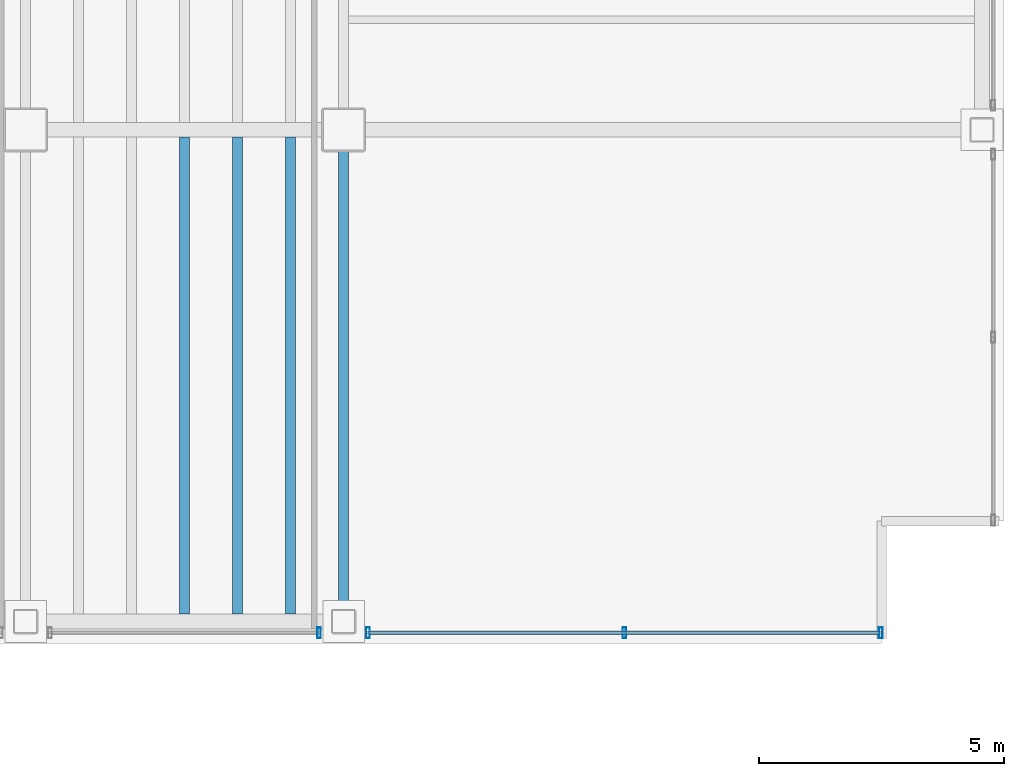
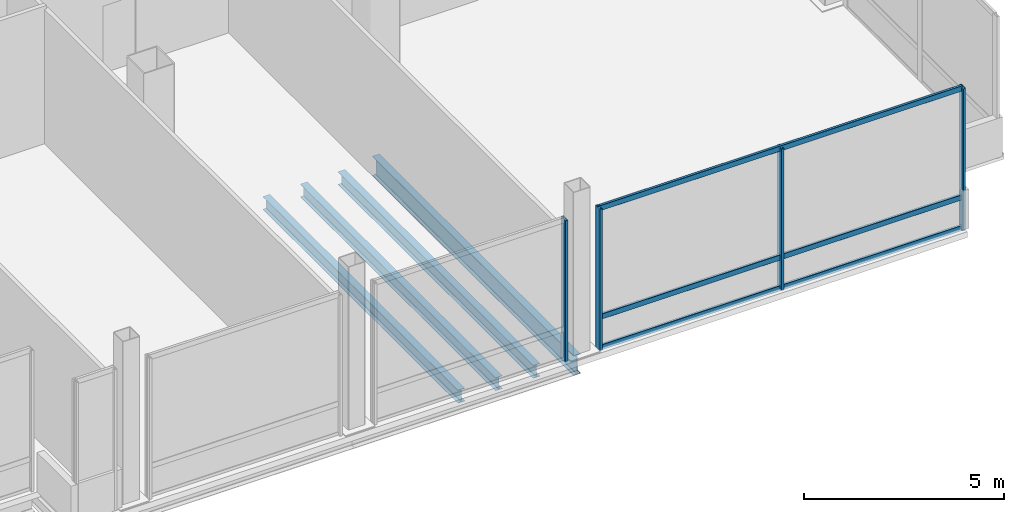
# One storey, part 9 of 22: 7 members, 4 beams, 2 elements without a shape of their own.
"""IFC4 building model written with IfcOpenShell, lengths in metres."""

from ifc_helpers import new_model, si_unit, direction, frame, origin, origin_2d, place, context, subcontext, project, spatial, hollow_rectangle, i_section, extrude, material, material_profile, profile_set, type_object, element, aggregate, save


model = new_model("IFC4")

# Units and contexts
model_context = context("Model", 3, precision=1e-05, world=origin(), true_north=direction((0.0, 1.0)))
body_context = subcontext(model_context, "Body", "Model", "MODEL_VIEW")
ifc_project = project(units=[si_unit("LENGTHUNIT", "METRE"), si_unit("AREAUNIT", "SQUARE_METRE"), si_unit("VOLUMEUNIT", "CUBIC_METRE"), si_unit("PLANEANGLEUNIT", "RADIAN"), si_unit("MASSUNIT", "GRAM", prefix="KILO")], contexts=[model_context])

# Site, building, storey
site_placement = place(None, origin())
site = spatial("IfcSite", under=ifc_project, at=site_placement, CompositionType="ELEMENT")
building_placement = place(site_placement, origin())
building = spatial("IfcBuilding", under=site, at=building_placement, Name="Noeulbin Bourse Tower", CompositionType="ELEMENT")
storey_placement = place(building_placement, frame((0.0, 0.0, 106.0)))
storey = spatial("IfcBuildingStorey", under=building, at=storey_placement, Name="L26", CompositionType="ELEMENT", Elevation=106.0)

# Beams
ifc_material_1 = material(Name="Steel S355", Category="steel")
ifc_material_profile_1 = material_profile(ifc_material_1, i_section(OverallWidth=0.199951171875, OverallDepth=0.60009765625, WebThickness=0.010986328125, FlangeThickness=0.01708984375, FilletRadius=0.02197265625, at=origin_2d()), Name="H-600x200x11x17", Category="LoadBearing")
ifc_profile_set_1 = profile_set([ifc_material_profile_1], Name="Steel S355")
beam_type_1 = type_object("IfcBeamType", Name="BM-GRD-600", PredefinedType="USERDEFINED", material=ifc_profile_set_1)
beam_placement = place(storey_placement, frame((44.0, 9.949951171875, -0.47998046875), z_axis=(0.0, 1.0, 0.0), x_axis=(-1.0, 0.0, 0.0)))
element("IfcBeam", 1, at=beam_placement, inside=storey, type_object=beam_type_1, Name="Tower Primary Girder NS L26-5.1", ObjectType="GIRDER", PredefinedType="USERDEFINED", context=body_context, shape_type="SweptSolid", body=[
    extrude(i_section(OverallWidth=0.199951171875, OverallDepth=0.60009765625, WebThickness=0.010986328125, FlangeThickness=0.01708984375, FilletRadius=0.02197265625, at=origin_2d()), origin(), (0.0, 0.0, 1.0), 10.050048828125),
])
ifc_material_profile_2 = material_profile(ifc_material_1, i_section(OverallWidth=0.199951171875, OverallDepth=0.39990234375, WebThickness=0.008056640625, FlangeThickness=0.012939453125, FilletRadius=0.01611328125, at=origin_2d()), Name="H-400x200x8x13", Category="LoadBearing")
ifc_profile_set_2 = profile_set([ifc_material_profile_2], Name="Steel S355")
beam_type_2 = type_object("IfcBeamType", Name="BM-SEC-400", PredefinedType="BEAM", material=ifc_profile_set_2)
for number, where, z_axis, x_axis, name in (
    (2, (40.75, 10.10009765625, -0.3798828125), (0.0, 1.0, 0.0), (-1.0, 0.0, 0.0), "Tower Composite Joist L26-61"),
    (3, (41.833251953125, 10.10009765625, -0.3798828125), (0.0, 1.0, 0.0), (-1.0, 0.0, 0.0), "Tower Composite Joist L26-64"),
    (4, (42.916748046875, 10.10009765625, -0.3798828125), (0.0, 1.0, 0.0), (-1.0, 0.0, 0.0), "Tower Composite Joist L26-67"),
):
    element("IfcBeam", number, at=place(storey_placement, frame(where, z_axis=z_axis, x_axis=x_axis)), inside=storey, type_object=beam_type_2, Name=name, PredefinedType="BEAM", context=body_context, shape_type="SweptSolid", body=[
        extrude(i_section(OverallWidth=0.199951171875, OverallDepth=0.39990234375, WebThickness=0.008056640625, FlangeThickness=0.012939453125, FilletRadius=0.01611328125, at=origin_2d()), origin(), (0.0, 0.0, 1.0), 9.75),
    ])

# Curtain wall, member
ifc_material_2 = material(Name="Dark Tinted Triple Glazing", Category="glass")
curtain_wall_type = type_object("IfcCurtainWallType", Name="CW-SYS-3", PredefinedType="NOTDEFINED", material=ifc_material_2)
curtain_wall_1_placement = place(storey_placement, origin())
curtain_wall_1 = element("IfcCurtainWall", 5, at=curtain_wall_1_placement, inside=storey, type_object=curtain_wall_type, Name="Unitised Curtain Wall CW-L26-S3-S3", PredefinedType="NOTDEFINED")
ifc_material_3 = material(Name="Anodised Aluminium 6063-T6", Category="aluminium")
ifc_material_profile_3 = material_profile(ifc_material_3, hollow_rectangle(XDim=0.074951171875, YDim=0.219970703125, WallThickness=0.0048828125, InnerFilletRadius=0.00244140625, OuterFilletRadius=0.0048828125, at=origin_2d()), Name="ALU-MULL-75x220x5", Category="LoadBearing")
ifc_profile_set_3 = profile_set([ifc_material_profile_3], Name="Anodised Aluminium 6063-T6")
member_type_1 = type_object("IfcMemberType", Name="CW-SYS-3-MUL", PredefinedType="MULLION", material=ifc_profile_set_3)
member_1_placement = place(storey_placement, frame((43.5, 9.719970703125, -0.02001953125), z_axis=(0.0, 0.0, 1.0), x_axis=(1.0, 0.0, 0.0)))
member_1 = element("IfcMember", 6, at=member_1_placement, type_object=member_type_1, Name="Curtain Wall Mullion CW-L26-S3-S3-M01", PredefinedType="MULLION", context=body_context, shape_type="SweptSolid", body=[
    extrude(hollow_rectangle(XDim=0.074951171875, YDim=0.219970703125, WallThickness=0.0048828125, InnerFilletRadius=0.00244140625, OuterFilletRadius=0.0048828125, at=origin_2d()), origin(), (0.0, 0.0, 1.0), 4.320068359375),
])
aggregate(curtain_wall_1, [member_1])

# Curtain wall, members
curtain_wall_2_placement = place(storey_placement, origin())
curtain_wall_2 = element("IfcCurtainWall", 7, at=curtain_wall_2_placement, inside=storey, type_object=curtain_wall_type, Name="Unitised Curtain Wall CW-L26-S3-S4", PredefinedType="NOTDEFINED")
member_2_placement = place(storey_placement, frame((44.5, 9.719970703125, -0.02001953125), z_axis=(0.0, 0.0, 1.0), x_axis=(1.0, 0.0, 0.0)))
member_2 = element("IfcMember", 8, at=member_2_placement, type_object=member_type_1, Name="Curtain Wall Mullion CW-L26-S3-S4-M00", PredefinedType="MULLION", context=body_context, shape_type="SweptSolid", body=[
    extrude(hollow_rectangle(XDim=0.074951171875, YDim=0.219970703125, WallThickness=0.0048828125, InnerFilletRadius=0.00244140625, OuterFilletRadius=0.0048828125, at=origin_2d()), origin(), (0.0, 0.0, 1.0), 4.320068359375),
])
member_3_placement = place(storey_placement, frame((49.739990234375, 9.719970703125, -0.02001953125), z_axis=(0.0, 0.0, 1.0), x_axis=(1.0, 0.0, 0.0)))
member_3 = element("IfcMember", 9, at=member_3_placement, type_object=member_type_1, Name="Curtain Wall Mullion CW-L26-S3-S4-M01", PredefinedType="MULLION", context=body_context, shape_type="SweptSolid", body=[
    extrude(hollow_rectangle(XDim=0.074951171875, YDim=0.219970703125, WallThickness=0.0048828125, InnerFilletRadius=0.00244140625, OuterFilletRadius=0.0048828125, at=origin_2d()), origin(), (0.0, 0.0, 1.0), 4.320068359375),
])
member_4_placement = place(storey_placement, frame((54.97998046875, 9.719970703125, -0.02001953125), z_axis=(0.0, 0.0, 1.0), x_axis=(1.0, 0.0, 0.0)))
member_4 = element("IfcMember", 10, at=member_4_placement, type_object=member_type_1, Name="Curtain Wall Mullion CW-L26-S3-S4-M02", PredefinedType="MULLION", context=body_context, shape_type="SweptSolid", body=[
    extrude(hollow_rectangle(XDim=0.074951171875, YDim=0.219970703125, WallThickness=0.0048828125, InnerFilletRadius=0.00244140625, OuterFilletRadius=0.0048828125, at=origin_2d()), origin(), (0.0, 0.0, 1.0), 4.320068359375),
])
ifc_material_profile_4 = material_profile(ifc_material_3, hollow_rectangle(XDim=0.074951171875, YDim=0.159912109375, WallThickness=0.0048828125, InnerFilletRadius=0.00244140625, OuterFilletRadius=0.0048828125, at=origin_2d()), Name="ALU-TRAN-75x160x5", Category="LoadBearing")
ifc_profile_set_4 = profile_set([ifc_material_profile_4], Name="Anodised Aluminium 6063-T6")
member_type_2 = type_object("IfcMemberType", Name="CW-SYS-3-TRN", PredefinedType="USERDEFINED", material=ifc_profile_set_4)
member_5_placement = place(storey_placement, frame((44.510009765625, 9.719970703125, 0.010009765625), z_axis=(1.0, 0.0, 0.0), x_axis=(0.0, 1.0, 0.0)))
member_5 = element("IfcMember", 11, at=member_5_placement, type_object=member_type_2, Name="Curtain Wall Transom CW-L26-S3-S4-T00", ObjectType="TRANSOM", PredefinedType="USERDEFINED", context=body_context, shape_type="SweptSolid", body=[
    extrude(hollow_rectangle(XDim=0.074951171875, YDim=0.159912109375, WallThickness=0.0048828125, InnerFilletRadius=0.00244140625, OuterFilletRadius=0.0048828125, at=origin_2d()), origin(), (0.0, 0.0, 1.0), 10.4599609375),
])
member_6_placement = place(storey_placement, frame((44.510009765625, 9.719970703125, 0.949951171875), z_axis=(1.0, 0.0, 0.0), x_axis=(0.0, 1.0, 0.0)))
member_6 = element("IfcMember", 12, at=member_6_placement, type_object=member_type_2, Name="Curtain Wall Transom CW-L26-S3-S4-T01", ObjectType="TRANSOM", PredefinedType="USERDEFINED", context=body_context, shape_type="SweptSolid", body=[
    extrude(hollow_rectangle(XDim=0.074951171875, YDim=0.159912109375, WallThickness=0.0048828125, InnerFilletRadius=0.00244140625, OuterFilletRadius=0.0048828125, at=origin_2d()), origin(), (0.0, 0.0, 1.0), 10.4599609375),
])
member_7_placement = place(storey_placement, frame((44.510009765625, 9.719970703125, 4.27001953125), z_axis=(1.0, 0.0, 0.0), x_axis=(0.0, 1.0, 0.0)))
member_7 = element("IfcMember", 13, at=member_7_placement, type_object=member_type_2, Name="Curtain Wall Transom CW-L26-S3-S4-T02", ObjectType="TRANSOM", PredefinedType="USERDEFINED", context=body_context, shape_type="SweptSolid", body=[
    extrude(hollow_rectangle(XDim=0.074951171875, YDim=0.159912109375, WallThickness=0.0048828125, InnerFilletRadius=0.00244140625, OuterFilletRadius=0.0048828125, at=origin_2d()), origin(), (0.0, 0.0, 1.0), 10.4599609375),
])
aggregate(curtain_wall_2, [member_2, member_3, member_4, member_5, member_6, member_7])

save(model, "model.ifc")
